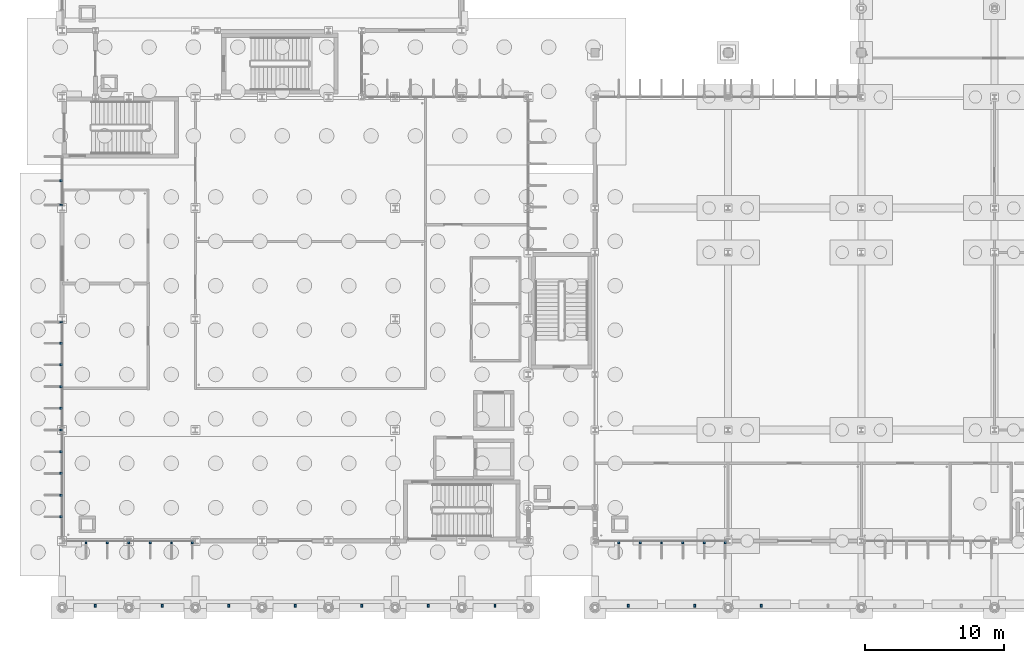
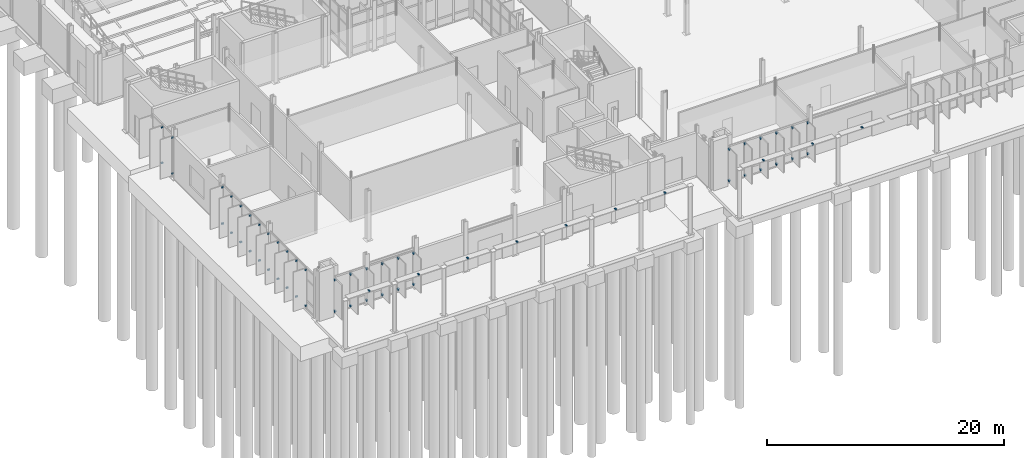
# One storey, part 95 of 111: 58 discrete accessories.
"""IFC4 building model written with IfcOpenShell, lengths in metres."""

from ifc_helpers import new_model, si_unit, direction, frame, origin, origin_2d, place, context, subcontext, project, spatial, rectangle, extrude, material, type_object, element, save


model = new_model("IFC4")

# Units and contexts
model_context = context("Model", 3, precision=1e-05, world=origin(), true_north=direction((0.0, 1.0)))
body_context = subcontext(model_context, "Body", "Model", "MODEL_VIEW")
ifc_project = project(units=[si_unit("LENGTHUNIT", "METRE"), si_unit("AREAUNIT", "SQUARE_METRE"), si_unit("VOLUMEUNIT", "CUBIC_METRE"), si_unit("PLANEANGLEUNIT", "RADIAN"), si_unit("MASSUNIT", "GRAM", prefix="KILO")], contexts=[model_context])

# Site, building, storey
site_placement = place(None, origin())
site = spatial("IfcSite", under=ifc_project, at=site_placement, CompositionType="ELEMENT")
building_placement = place(site_placement, origin())
building = spatial("IfcBuilding", under=site, at=building_placement, Name="Dunescarp Central Library", CompositionType="ELEMENT")
storey_placement = place(building_placement, origin())
storey = spatial("IfcBuildingStorey", under=building, at=storey_placement, Name="L00", CompositionType="ELEMENT", Elevation=0.0)

# Discrete accessories
ifc_material = material(Name="Stainless steel Grade 316L", Category="steel")
discrete_accessory_type = type_object("IfcDiscreteAccessoryType", Name="ARC-ACC-BRK", PredefinedType="BRACKET", material=ifc_material)
for number, where, z_axis, x_axis, name in (
    (1, (9.385009765625, 4.719970703125, 0.27685546875), (0.0, 0.0, 1.0), (0.0, -1.0, 0.0), "Fin bracket BRK-FIN-L00-0001-B"),
    (2, (9.385009765625, 4.719970703125, 3.47509765625), (0.0, 0.0, 1.0), (0.0, -1.0, 0.0), "Fin bracket BRK-FIN-L00-0001-T"),
    (3, (7.883056640625, 4.719970703125, 0.2900390625), (0.0, 0.0, 1.0), (0.0, -1.0, 0.0), "Fin bracket BRK-FIN-L00-0002-B"),
    (4, (7.883056640625, 4.719970703125, 3.47509765625), (0.0, 0.0, 1.0), (0.0, -1.0, 0.0), "Fin bracket BRK-FIN-L00-0002-T"),
    (5, (6.342041015625, 4.719970703125, 0.27392578125), (0.0, 0.0, 1.0), (0.0, -1.0, 0.0), "Fin bracket BRK-FIN-L00-0003-B"),
    (6, (6.342041015625, 4.719970703125, 3.47509765625), (0.0, 0.0, 1.0), (0.0, -1.0, 0.0), "Fin bracket BRK-FIN-L00-0003-T"),
    (7, (4.800048828125, 4.719970703125, 0.23291015625), (0.0, 0.0, 1.0), (0.0, -1.0, 0.0), "Fin bracket BRK-FIN-L00-0004-B"),
    (8, (4.800048828125, 4.719970703125, 3.47509765625), (0.0, 0.0, 1.0), (0.0, -1.0, 0.0), "Fin bracket BRK-FIN-L00-0004-T"),
    (9, (3.258056640625, 4.719970703125, 0.18994140625), (0.0, 0.0, 1.0), (0.0, -1.0, 0.0), "Fin bracket BRK-FIN-L00-0005-B"),
    (10, (3.258056640625, 4.719970703125, 3.4638671875), (0.0, 0.0, 1.0), (0.0, -1.0, 0.0), "Fin bracket BRK-FIN-L00-0005-T"),
    (11, (1.717041015625, 4.719970703125, 0.18994140625), (0.0, 0.0, 1.0), (0.0, -1.0, 0.0), "Fin bracket BRK-FIN-L00-0006-B"),
    (12, (1.717041015625, 4.719970703125, 3.4140625), (0.0, 0.0, 1.0), (0.0, -1.0, 0.0), "Fin bracket BRK-FIN-L00-0006-T"),
    (13, (-0.080078125, 6.5400390625, 0.2900390625), (0.0, 0.0, 1.0), (-1.0, 0.0, 0.0), "Fin bracket BRK-FIN-L00-0014-B"),
    (14, (-0.080078125, 6.5400390625, 3.97509765625), (0.0, 0.0, 1.0), (-1.0, 0.0, 0.0), "Fin bracket BRK-FIN-L00-0014-T"),
    (15, (-0.080078125, 8.10498046875, 0.27392578125), (0.0, 0.0, 1.0), (-1.0, 0.0, 0.0), "Fin bracket BRK-FIN-L00-0015-B"),
    (16, (-0.080078125, 8.10498046875, 3.97509765625), (0.0, 0.0, 1.0), (-1.0, 0.0, 0.0), "Fin bracket BRK-FIN-L00-0015-T"),
    (17, (-0.080078125, 9.669921875, 0.23291015625), (0.0, 0.0, 1.0), (-1.0, 0.0, 0.0), "Fin bracket BRK-FIN-L00-0016-B"),
    (18, (-0.080078125, 9.669921875, 3.97509765625), (0.0, 0.0, 1.0), (-1.0, 0.0, 0.0), "Fin bracket BRK-FIN-L00-0016-T"),
    (19, (-0.080078125, 11.235107421875, 0.18994140625), (0.0, 0.0, 1.0), (-1.0, 0.0, 0.0), "Fin bracket BRK-FIN-L00-0017-B"),
    (20, (-0.080078125, 11.235107421875, 3.9638671875), (0.0, 0.0, 1.0), (-1.0, 0.0, 0.0), "Fin bracket BRK-FIN-L00-0017-T"),
    (21, (-0.080078125, 12.800048828125, 0.18994140625), (0.0, 0.0, 1.0), (-1.0, 0.0, 0.0), "Fin bracket BRK-FIN-L00-0018-B"),
    (22, (-0.080078125, 12.800048828125, 3.9140625), (0.0, 0.0, 1.0), (-1.0, 0.0, 0.0), "Fin bracket BRK-FIN-L00-0018-T"),
    (23, (-0.080078125, 14.364990234375, 0.18994140625), (0.0, 0.0, 1.0), (-1.0, 0.0, 0.0), "Fin bracket BRK-FIN-L00-0019-B"),
    (24, (-0.080078125, 14.364990234375, 3.880859375), (0.0, 0.0, 1.0), (-1.0, 0.0, 0.0), "Fin bracket BRK-FIN-L00-0019-T"),
    (25, (-0.080078125, 15.929931640625, 0.18994140625), (0.0, 0.0, 1.0), (-1.0, 0.0, 0.0), "Fin bracket BRK-FIN-L00-0020-B"),
    (26, (-0.080078125, 15.929931640625, 3.876953125), (0.0, 0.0, 1.0), (-1.0, 0.0, 0.0), "Fin bracket BRK-FIN-L00-0020-T"),
    (27, (-0.080078125, 17.4951171875, 0.18994140625), (0.0, 0.0, 1.0), (-1.0, 0.0, 0.0), "Fin bracket BRK-FIN-L00-0021-B"),
    (28, (-0.080078125, 17.4951171875, 3.90087890625), (0.0, 0.0, 1.0), (-1.0, 0.0, 0.0), "Fin bracket BRK-FIN-L00-0021-T"),
    (29, (-0.080078125, 19.06005859375, 0.18994140625), (0.0, 0.0, 1.0), (-1.0, 0.0, 0.0), "Fin bracket BRK-FIN-L00-0022-B"),
    (30, (-0.080078125, 19.06005859375, 3.947265625), (0.0, 0.0, 1.0), (-1.0, 0.0, 0.0), "Fin bracket BRK-FIN-L00-0022-T"),
    (31, (-0.080078125, 20.5849609375, 0.2158203125), (0.0, 0.0, 1.0), (-1.0, 0.0, 0.0), "Fin bracket BRK-FIN-L00-0023-B"),
    (32, (-0.080078125, 20.5849609375, 3.97509765625), (0.0, 0.0, 1.0), (-1.0, 0.0, 0.0), "Fin bracket BRK-FIN-L00-0023-T"),
    (33, (-0.080078125, 29.014892578125, 0.27685546875), (0.0, 0.0, 1.0), (-1.0, 0.0, 0.0), "Fin bracket BRK-FIN-L00-0024-B"),
    (34, (-0.080078125, 29.014892578125, 3.97509765625), (0.0, 0.0, 1.0), (-1.0, 0.0, 0.0), "Fin bracket BRK-FIN-L00-0024-T"),
    (35, (-0.080078125, 30.761962890625, 0.2900390625), (0.0, 0.0, 1.0), (-1.0, 0.0, 0.0), "Fin bracket BRK-FIN-L00-0025-B"),
    (36, (-0.080078125, 30.761962890625, 3.97509765625), (0.0, 0.0, 1.0), (-1.0, 0.0, 0.0), "Fin bracket BRK-FIN-L00-0025-T"),
    (37, (47.784912109375, 4.719970703125, 0.27685546875), (0.0, 0.0, 1.0), (0.0, -1.0, 0.0), "Fin bracket BRK-FIN-L00-0312-B"),
    (38, (47.784912109375, 4.719970703125, 3.47509765625), (0.0, 0.0, 1.0), (0.0, -1.0, 0.0), "Fin bracket BRK-FIN-L00-0312-T"),
    (39, (46.282958984375, 4.719970703125, 0.2900390625), (0.0, 0.0, 1.0), (0.0, -1.0, 0.0), "Fin bracket BRK-FIN-L00-0313-B"),
    (40, (46.282958984375, 4.719970703125, 3.47509765625), (0.0, 0.0, 1.0), (0.0, -1.0, 0.0), "Fin bracket BRK-FIN-L00-0313-T"),
    (41, (44.741943359375, 4.719970703125, 0.27392578125), (0.0, 0.0, 1.0), (0.0, -1.0, 0.0), "Fin bracket BRK-FIN-L00-0314-B"),
    (42, (44.741943359375, 4.719970703125, 3.47509765625), (0.0, 0.0, 1.0), (0.0, -1.0, 0.0), "Fin bracket BRK-FIN-L00-0314-T"),
    (43, (43.199951171875, 4.719970703125, 0.23291015625), (0.0, 0.0, 1.0), (0.0, -1.0, 0.0), "Fin bracket BRK-FIN-L00-0315-B"),
    (44, (43.199951171875, 4.719970703125, 3.47509765625), (0.0, 0.0, 1.0), (0.0, -1.0, 0.0), "Fin bracket BRK-FIN-L00-0315-T"),
    (45, (41.657958984375, 4.719970703125, 0.18994140625), (0.0, 0.0, 1.0), (0.0, -1.0, 0.0), "Fin bracket BRK-FIN-L00-0316-B"),
    (46, (41.657958984375, 4.719970703125, 3.4638671875), (0.0, 0.0, 1.0), (0.0, -1.0, 0.0), "Fin bracket BRK-FIN-L00-0316-T"),
    (47, (40.116943359375, 4.719970703125, 0.18994140625), (0.0, 0.0, 1.0), (0.0, -1.0, 0.0), "Fin bracket BRK-FIN-L00-0317-B"),
    (48, (40.116943359375, 4.719970703125, 3.4140625), (0.0, 0.0, 1.0), (0.0, -1.0, 0.0), "Fin bracket BRK-FIN-L00-0317-T"),
):
    element("IfcDiscreteAccessory", number, at=place(storey_placement, frame(where, z_axis=z_axis, x_axis=x_axis)), inside=storey, type_object=discrete_accessory_type, Name=name, PredefinedType="BRACKET", context=body_context, shape_type="SweptSolid", body=[
        extrude(rectangle(XDim=0.219970703125, YDim=0.139892578125, at=origin_2d()), origin(), (0.0, 0.0, 1.0), 0.139892578125),
    ])
for number, where, z_axis, x_axis, name in (
    (49, (2.39990234375, 0.1201171875, 4.81982421875), (0.0, 0.0, 1.0), (1.0, 0.0, 0.0), "Louvre bracket 001"),
    (50, (7.199951171875, 0.1201171875, 4.81982421875), (0.0, 0.0, 1.0), (1.0, 0.0, 0.0), "Louvre bracket 002"),
    (51, (12.0, 0.1201171875, 4.81982421875), (0.0, 0.0, 1.0), (1.0, 0.0, 0.0), "Louvre bracket 003"),
    (52, (16.800048828125, 0.1201171875, 4.81982421875), (0.0, 0.0, 1.0), (1.0, 0.0, 0.0), "Louvre bracket 004"),
    (53, (21.60009765625, 0.1201171875, 4.81982421875), (0.0, 0.0, 1.0), (1.0, 0.0, 0.0), "Louvre bracket 005"),
    (54, (26.39990234375, 0.1201171875, 4.81982421875), (0.0, 0.0, 1.0), (1.0, 0.0, 0.0), "Louvre bracket 006"),
    (55, (31.199951171875, 0.1201171875, 4.81982421875), (0.0, 0.0, 1.0), (1.0, 0.0, 0.0), "Louvre bracket 007"),
    (56, (40.800048828125, 0.1201171875, 4.81982421875), (0.0, 0.0, 1.0), (1.0, 0.0, 0.0), "Louvre bracket 008"),
    (57, (45.60009765625, 0.1201171875, 4.81982421875), (0.0, 0.0, 1.0), (1.0, 0.0, 0.0), "Louvre bracket 009"),
    (58, (50.39990234375, 0.1201171875, 4.81982421875), (0.0, 0.0, 1.0), (1.0, 0.0, 0.0), "Louvre bracket 010"),
):
    element("IfcDiscreteAccessory", number, at=place(storey_placement, frame(where, z_axis=z_axis, x_axis=x_axis)), inside=storey, type_object=discrete_accessory_type, Name=name, PredefinedType="BRACKET", context=body_context, shape_type="SweptSolid", body=[
        extrude(rectangle(XDim=0.139892578125, YDim=0.219970703125, at=origin_2d()), origin(), (0.0, 0.0, 1.0), 0.139892578125),
    ])

save(model, "model.ifc")
